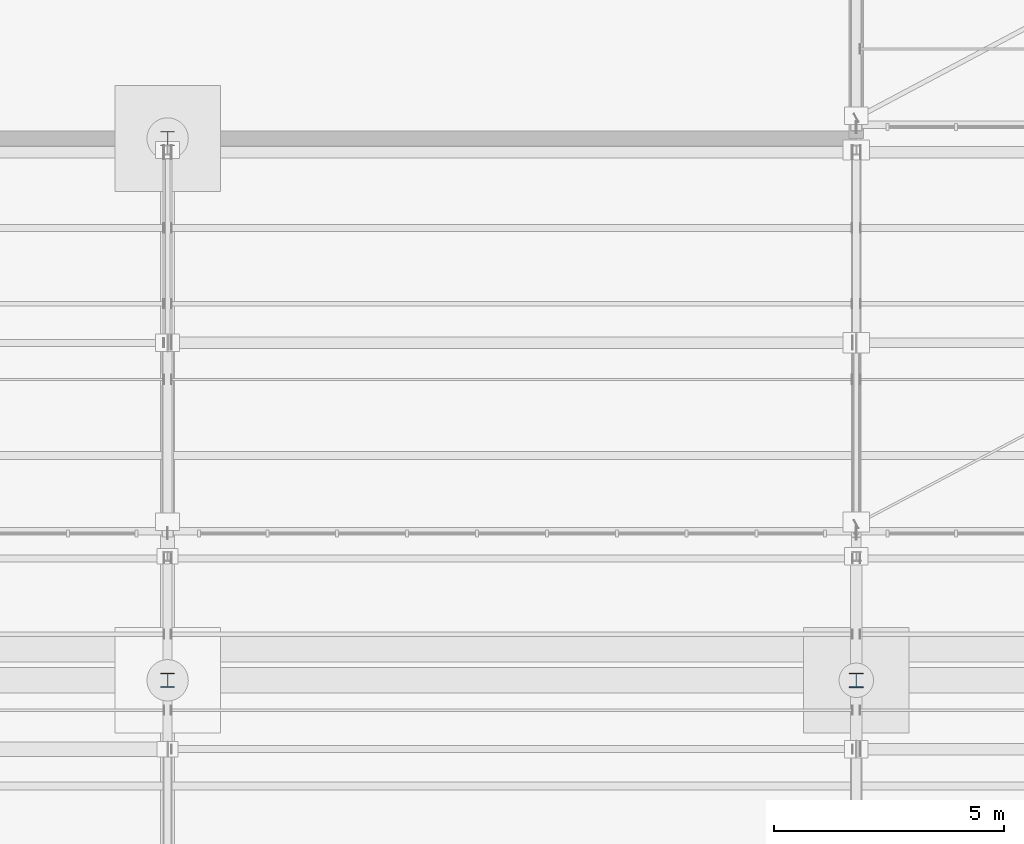
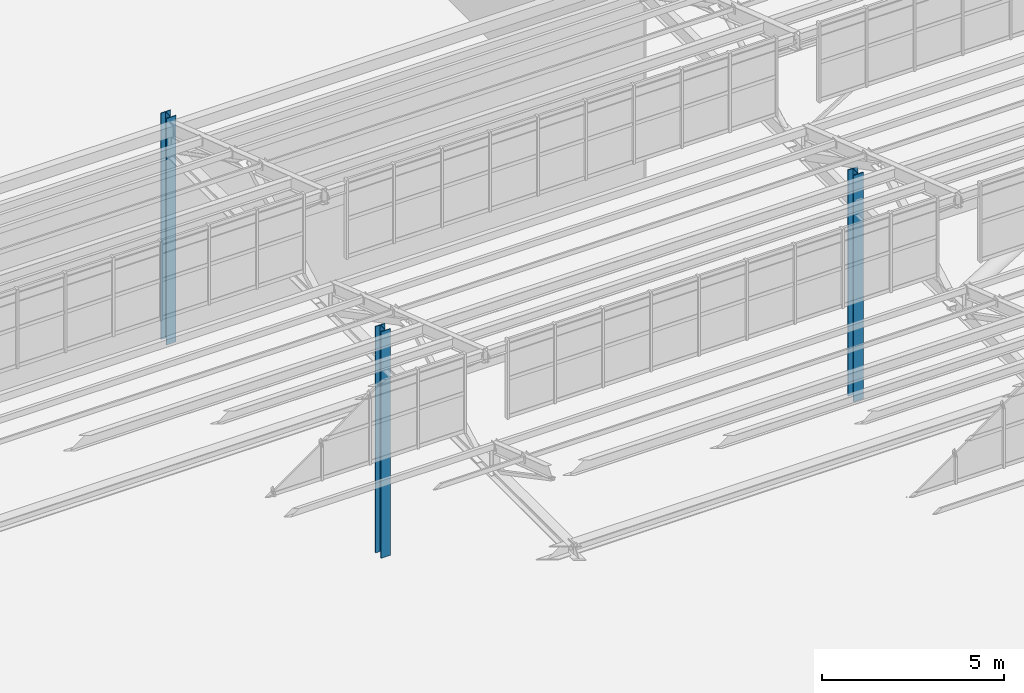
# One storey, part 25 of 285: 3 columns.
"""IFC4 building model written with IfcOpenShell, lengths in metres."""

import ifcopenshell
import ifcopenshell.guid

model = None  # the IFC model being written
_history = None  # IfcOwnerHistory: only IFC2X3 demands one
_inside = {}  # id of a spatial element -> (the spatial element, [elements in it])
_under = {}  # id of a project, library or spatial element -> (it, [spatial elements below it])
_declared = {}  # id of a project -> (the project, [libraries it declares])
_typed = {}  # id of a type object -> (the type object, [elements of that type])
_made_of = {}  # id of a material, layer set ... -> (it, [elements and type objects made of it])


def new_model(schema):
    """Start an empty IFC model of exactly this schema.

    Asked for "IFC4X3", IfcOpenShell would pick the latest addendum, in which some entities
    have other attributes; the version numbers below select the first issue.
    IFC2X3 requires an IfcOwnerHistory on every rooted entity: one is made here for all.
    """
    global model, _history
    if schema == "IFC4X3":
        model = ifcopenshell.file(schema_version=(4, 3, 0, 0))
    else:
        model = ifcopenshell.file(schema=schema)
    _inside.clear()
    _under.clear()
    _declared.clear()
    _typed.clear()
    _made_of.clear()
    _history = None
    if model.schema == "IFC2X3":
        org = make("IfcOrganization", Name="unknown")
        user = make(
            "IfcPersonAndOrganization",
            ThePerson=make("IfcPerson", FamilyName="unknown"),
            TheOrganization=org,
        )
        app = make(
            "IfcApplication",
            ApplicationDeveloper=org,
            Version="unknown",
            ApplicationFullName="unknown",
            ApplicationIdentifier="unknown",
        )
        _history = make(
            "IfcOwnerHistory",
            OwningUser=user,
            OwningApplication=app,
            ChangeAction="ADDED",
            CreationDate=0,
        )
    return model


def make(cls, **values):
    """One entity of the class cls with the attributes given. An attribute that is None is left unset."""
    return model.create_entity(
        cls, **{name: value for name, value in values.items() if value is not None}
    )


def rooted(cls, **values):
    """An entity with a GlobalId (a new one), such as an element, a storey or a relation."""
    return make(cls, GlobalId=ifcopenshell.guid.new(), OwnerHistory=_history, **values)


def si_unit(unit_type, name, prefix=None):
    """IfcSIUnit, for example si_unit("LENGTHUNIT", "METRE", prefix="MILLI")."""
    return make("IfcSIUnit", UnitType=unit_type, Prefix=prefix, Name=name)


def assignment(units):
    """IfcUnitAssignment: the units of a project."""
    return None if units is None else make("IfcUnitAssignment", Units=units)


def point(xyz):
    """IfcCartesianPoint."""
    return None if xyz is None else make("IfcCartesianPoint", Coordinates=xyz)


def direction(xyz):
    """IfcDirection."""
    return None if xyz is None else make("IfcDirection", DirectionRatios=xyz)


def frame(location, z_axis=None, x_axis=None):
    """IfcAxis2Placement3D, a coordinate frame: its origin and axes. An axis left out is left unset."""
    return make(
        "IfcAxis2Placement3D",
        Location=point(location),
        Axis=direction(z_axis),
        RefDirection=direction(x_axis),
    )


def frame_2d(location, x_axis=None):
    """IfcAxis2Placement2D, a coordinate frame in the plane: its origin and x axis."""
    return make(
        "IfcAxis2Placement2D", Location=point(location), RefDirection=direction(x_axis)
    )


def origin():
    """The frame at (0, 0, 0) with its axes left unset."""
    return frame((0.0, 0.0, 0.0))


def origin_2d():
    """The frame at (0, 0) in the plane with its x axis left unset."""
    return frame_2d((0.0, 0.0))


def place(relative_to, where):
    """IfcLocalPlacement: puts the frame where relative to a parent placement (None: the world)."""
    return make(
        "IfcLocalPlacement", PlacementRelTo=relative_to, RelativePlacement=where
    )


def context(
    kind, dimensions, precision=None, world=None, true_north=None, identifier=None
):
    """IfcGeometricRepresentationContext, for example the 3D "Model" context."""
    return make(
        "IfcGeometricRepresentationContext",
        ContextIdentifier=identifier,
        ContextType=kind,
        CoordinateSpaceDimension=dimensions,
        Precision=precision,
        WorldCoordinateSystem=world,
        TrueNorth=true_north,
    )


def subcontext(parent, identifier, kind, view, scale=None):
    """IfcGeometricRepresentationSubContext, for example "Body" below "Model"."""
    return make(
        "IfcGeometricRepresentationSubContext",
        ContextIdentifier=identifier,
        ContextType=kind,
        ParentContext=parent,
        TargetScale=scale,
        TargetView=view,
    )


def project(units=None, contexts=None):
    """IfcProject with its units and contexts."""
    return rooted(
        "IfcProject",
        Name="project",
        RepresentationContexts=contexts,
        UnitsInContext=assignment(units),
    )


def spatial(cls, under=None, at=None, **own):
    """A site, building, storey or space (cls), placed at a placement, below another one or the project."""
    s = rooted(cls, ObjectPlacement=at, **own)
    if under is not None:
        _under.setdefault(under.id(), (under, []))[1].append(s)
    return s


def profile(cls, at=None, kind="AREA", **sizes):
    """A parametric profile (cls). Its sizes go by their IFC names, for example OverallWidth=200.0."""
    return make(cls, ProfileType=kind, Position=at, **sizes)


def i_section(**sizes):
    """IfcIShapeProfileDef."""
    return profile("IfcIShapeProfileDef", **sizes)


def extrude(swept, where, along, depth):
    """IfcExtrudedAreaSolid: the profile swept, set in the frame where, extruded along a direction by depth."""
    return make(
        "IfcExtrudedAreaSolid",
        SweptArea=swept,
        Position=where,
        ExtrudedDirection=direction(along),
        Depth=depth,
    )


def shape(context_of_items, identifier, shape_type, items):
    """IfcShapeRepresentation: the items that make up one representation, for example the "Body"."""
    return make(
        "IfcShapeRepresentation",
        ContextOfItems=context_of_items,
        RepresentationIdentifier=identifier,
        RepresentationType=shape_type,
        Items=items,
    )


def material(Name=None, Category=None):
    """IfcMaterial."""
    return make("IfcMaterial", Name=Name, Category=Category)


def material_profile(
    of_material, cross_section, Name=None, Category=None, Priority=None
):
    """IfcMaterialProfile: a cross section and its material."""
    return make(
        "IfcMaterialProfile",
        Name=Name,
        Material=of_material,
        Profile=cross_section,
        Priority=Priority,
        Category=Category,
    )


def profile_set(profiles, Name=None, composite=None):
    """IfcMaterialProfileSet."""
    return make(
        "IfcMaterialProfileSet",
        Name=Name,
        MaterialProfiles=profiles,
        CompositeProfile=composite,
    )


def made_of(thing, what):
    """Note that an element or type object is made of a material, layer set ...; save() writes the relation."""
    if what is not None:
        _made_of.setdefault(what.id(), (what, []))[1].append(thing)
    return thing


def type_object(cls, material=None, **own):
    """A type object (cls), such as IfcWallType, which elements share."""
    return made_of(rooted(cls, **own), material)


def element(
    cls,
    number,
    at=None,
    inside=None,
    cuts=None,
    type_object=None,
    material=None,
    context=None,
    identifier="Body",
    shape_type=None,
    held_by="IfcProductDefinitionShape",
    body=None,
    shapes=None,
    **own,
):
    """One element of the class cls, such as IfcWall. Its Tag is "e" and its number.

    at: its placement. inside: the storey or other place that contains it. cuts: it is an
    opening in that element (IfcRelVoidsElement). A single representation is given by context,
    identifier, shape_type and body (its items); several are given by shapes. held_by: the class
    of the entity that holds the representations. save() writes the other relations.
    """
    e = rooted(cls, Tag="e%d" % number, ObjectPlacement=at, **own)
    if body is not None:
        shapes = [shape(context, identifier, shape_type, body)]
    if shapes is not None:
        e.Representation = make(held_by, Representations=shapes)
    if inside is not None:
        _inside.setdefault(inside.id(), (inside, []))[1].append(e)
    if cuts is not None:
        rooted(
            "IfcRelVoidsElement", RelatingBuildingElement=cuts, RelatedOpeningElement=e
        )
    if type_object is not None:
        _typed.setdefault(type_object.id(), (type_object, []))[1].append(e)
    return made_of(e, material)


def aggregate(whole, parts):
    """IfcRelAggregates: a whole, such as a stair, and the parts it consists of."""
    return rooted("IfcRelAggregates", RelatingObject=whole, RelatedObjects=parts)


def save(model, path):
    """Write the relations noted so far, then the file.

    IfcRelAggregates (storeys below a building ...), IfcRelContainedInSpatialStructure (elements
    in a storey), IfcRelDefinesByType, IfcRelAssociatesMaterial and IfcRelDeclares: one each for
    every whole, place, type object, material and project.
    """
    for whole, parts in _under.values():
        aggregate(whole, parts)
    for where, things in _inside.values():
        rooted(
            "IfcRelContainedInSpatialStructure",
            RelatedElements=things,
            RelatingStructure=where,
        )
    for kind, things in _typed.values():
        rooted("IfcRelDefinesByType", RelatedObjects=things, RelatingType=kind)
    for what, things in _made_of.values():
        rooted("IfcRelAssociatesMaterial", RelatedObjects=things, RelatingMaterial=what)
    for by, libraries in _declared.values():
        rooted("IfcRelDeclares", RelatingContext=by, RelatedDefinitions=libraries)
    model.write(path)


model = new_model("IFC4")

# Units and contexts
model_context = context("Model", 3, precision=1e-05, world=origin(), true_north=direction((0.0, 1.0)))
body_context = subcontext(model_context, "Body", "Model", "MODEL_VIEW")
ifc_project = project(units=[si_unit("LENGTHUNIT", "METRE"), si_unit("AREAUNIT", "SQUARE_METRE"), si_unit("VOLUMEUNIT", "CUBIC_METRE"), si_unit("PLANEANGLEUNIT", "RADIAN"), si_unit("MASSUNIT", "GRAM", prefix="KILO")], contexts=[model_context])

# Site, building, storey
site_placement = place(None, origin())
site = spatial("IfcSite", under=ifc_project, at=site_placement, CompositionType="ELEMENT")
building_placement = place(site_placement, origin())
building = spatial("IfcBuilding", under=site, at=building_placement, Name="Solanera Park Tramway Depot", CompositionType="ELEMENT")
storey_placement = place(building_placement, origin())
storey = spatial("IfcBuildingStorey", under=building, at=storey_placement, Name="L00", CompositionType="ELEMENT", Elevation=0.0)

# Columns
ifc_material_1 = material(Name="Steel AS/NZS 3679.1 Grade 350", Category="steel")
ifc_material_profile_1 = material_profile(ifc_material_1, i_section(OverallWidth=0.306884765625, OverallDepth=0.314697265625, WebThickness=0.011962890625, FlangeThickness=0.018798828125, at=origin_2d()), Name="310UC118")
ifc_profile_set_1 = profile_set([ifc_material_profile_1], Name="Steel AS/NZS 3679.1 Grade 350")
column_type_1 = type_object("IfcColumnType", Name="Steel Column Ext 310UC118", PredefinedType="COLUMN", material=ifc_profile_set_1)
column_1_placement = place(storey_placement, frame((75.0, 126.300048828125, 0.0), z_axis=(0.0, 0.0, 1.0), x_axis=(1.0, 0.0, 0.0)))
element("IfcColumn", 1, at=column_1_placement, inside=storey, type_object=column_type_1, Name="L00 Column V1-X750-Y1263", PredefinedType="COLUMN", context=body_context, shape_type="SweptSolid", body=[
    extrude(i_section(OverallWidth=0.306884765625, OverallDepth=0.314697265625, WebThickness=0.011962890625, FlangeThickness=0.018798828125, at=origin_2d()), origin(), (0.0, 0.0, 1.0), 7.60009765625),
])
ifc_material_2 = material(Name="Steel AS/NZS 3679.1 Grade 350", Category="steel")
ifc_material_profile_2 = material_profile(ifc_material_2, i_section(OverallWidth=0.306884765625, OverallDepth=0.314697265625, WebThickness=0.011962890625, FlangeThickness=0.018798828125, at=origin_2d()), Name="310UC118")
ifc_profile_set_2 = profile_set([ifc_material_profile_2], Name="Steel AS/NZS 3679.1 Grade 350")
column_type_2 = type_object("IfcColumnType", Name="Steel Column Int 310UC118", PredefinedType="COLUMN", material=ifc_profile_set_2)
column_2_placement = place(storey_placement, frame((75.0, 114.5, 0.0), z_axis=(0.0, 0.0, 1.0), x_axis=(1.0, 0.0, 0.0)))
element("IfcColumn", 2, at=column_2_placement, inside=storey, type_object=column_type_2, Name="L00 Column V1-X750-Y1145", PredefinedType="COLUMN", context=body_context, shape_type="SweptSolid", body=[
    extrude(i_section(OverallWidth=0.306884765625, OverallDepth=0.314697265625, WebThickness=0.011962890625, FlangeThickness=0.018798828125, at=origin_2d()), origin(), (0.0, 0.0, 1.0), 7.60009765625),
])
ifc_material_3 = material(Name="Steel AS/NZS 3679.1 Grade 350", Category="steel")
ifc_material_profile_3 = material_profile(ifc_material_3, i_section(OverallWidth=0.310546875, OverallDepth=0.3271484375, WebThickness=0.015625, FlangeThickness=0.02490234375, at=origin_2d()), Name="310UC158")
ifc_profile_set_3 = profile_set([ifc_material_profile_3], Name="Steel AS/NZS 3679.1 Grade 350")
column_type_3 = type_object("IfcColumnType", Name="Steel Column Int 310UC158", PredefinedType="COLUMN", material=ifc_profile_set_3)
column_3_placement = place(storey_placement, frame((90.0, 114.5, 0.0), z_axis=(0.0, 0.0, 1.0), x_axis=(1.0, 0.0, 0.0)))
element("IfcColumn", 3, at=column_3_placement, inside=storey, type_object=column_type_3, Name="L00 Column V1-X900-Y1145", PredefinedType="COLUMN", context=body_context, shape_type="SweptSolid", body=[
    extrude(i_section(OverallWidth=0.310546875, OverallDepth=0.3271484375, WebThickness=0.015625, FlangeThickness=0.02490234375, at=origin_2d()), origin(), (0.0, 0.0, 1.0), 7.60009765625),
])

save(model, "model.ifc")
